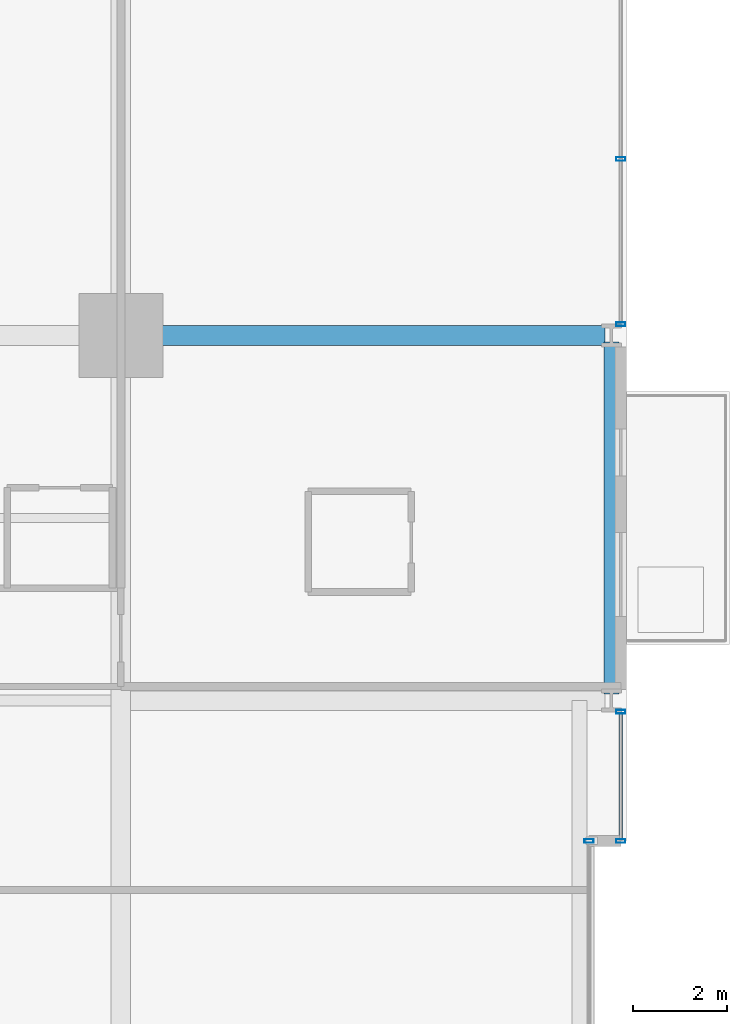
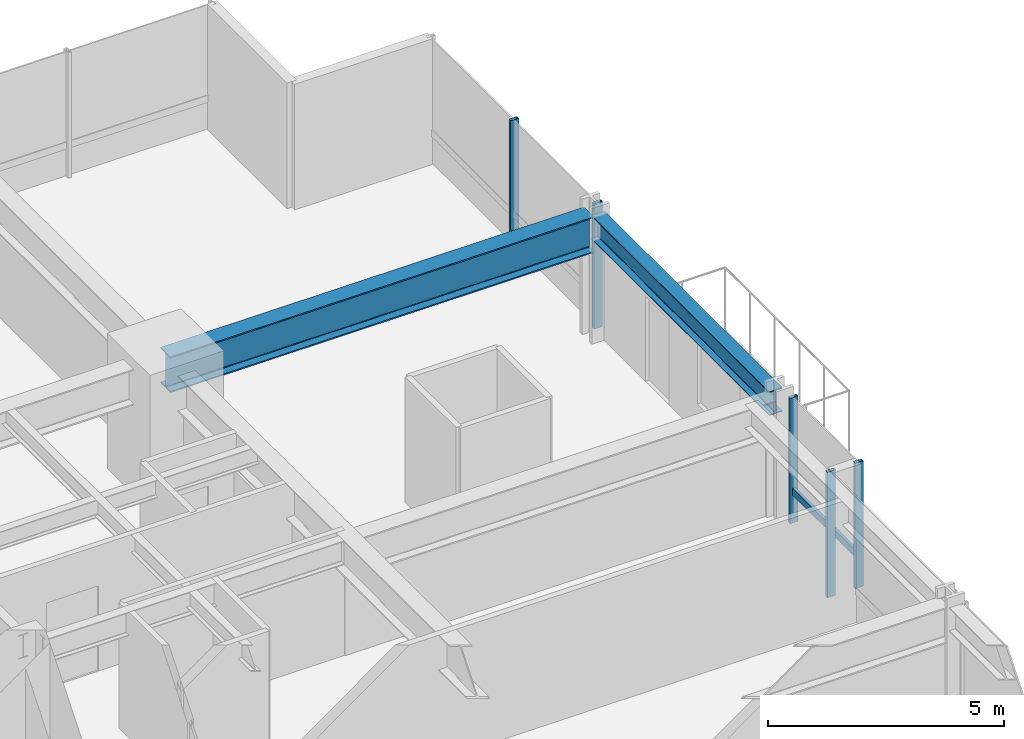
# One storey, part 25 of 37: 6 members, 2 beams, 3 elements without a shape of their own.
"""IFC4 building model written with IfcOpenShell, lengths in metres."""

from ifc_helpers import new_model, si_unit, direction, frame, origin, origin_2d, place, context, subcontext, project, spatial, hollow_rectangle, i_section, extrude, material, layer, layer_set, material_profile, profile_set, type_object, element, aggregate, save


model = new_model("IFC4")

# Units and contexts
model_context = context("Model", 3, precision=1e-05, world=origin(), true_north=direction((0.0, 1.0)))
body_context = subcontext(model_context, "Body", "Model", "MODEL_VIEW")
ifc_project = project(units=[si_unit("LENGTHUNIT", "METRE"), si_unit("AREAUNIT", "SQUARE_METRE"), si_unit("VOLUMEUNIT", "CUBIC_METRE"), si_unit("PLANEANGLEUNIT", "RADIAN"), si_unit("MASSUNIT", "GRAM", prefix="KILO")], contexts=[model_context])

# Site, building, storey
site_placement = place(None, origin())
site = spatial("IfcSite", under=ifc_project, at=site_placement, CompositionType="ELEMENT")
building_placement = place(site_placement, origin())
building = spatial("IfcBuilding", under=site, at=building_placement, Name="Drelvath Grand Hotel", CompositionType="ELEMENT")
storey_placement = place(building_placement, frame((0.0, 0.0, 43.699951171875)))
storey = spatial("IfcBuildingStorey", under=building, at=storey_placement, Name="L09", CompositionType="ELEMENT", Elevation=43.699951171875)

# Curtain wall, members
ifc_material_1 = material(Name="Warm Bronze Anodised Aluminium Frame", Category="aluminium")
ifc_layer = layer(ifc_material_1, 0.199951171875)
ifc_layer_set = layer_set([ifc_layer], Name="Warm Bronze Anodised Aluminium Frame")
curtain_wall_type = type_object("IfcCurtainWallType", Name="Stick Curtain Wall CW-02 Warm Bronze Low-Rise", PredefinedType="NOTDEFINED", material=ifc_layer_set)
curtain_wall_1_placement = place(storey_placement, origin())
curtain_wall_1 = element("IfcCurtainWall", 1, at=curtain_wall_1_placement, inside=storey, type_object=curtain_wall_type, Name="L09 CW-02 Curtain Wall CW02-L09-EN1", PredefinedType="NOTDEFINED")
ifc_material_profile_1 = material_profile(ifc_material_1, hollow_rectangle(XDim=0.074951171875, YDim=0.179931640625, WallThickness=0.0048828125, at=origin_2d()), Name="HSS180X75X5")
ifc_profile_set_1 = profile_set([ifc_material_profile_1], Name="Warm Bronze Anodised Aluminium Frame")
member_type_1 = type_object("IfcMemberType", Name="Curtain Wall Horizontal Transom CW-02 HSS180X75X5", PredefinedType="USERDEFINED", material=ifc_profile_set_1)
member_1_placement = place(storey_placement, frame((26.8798828125, 35.119140625, 0.81005859375), z_axis=(0.0, -1.0, 0.0), x_axis=(1.0, 0.0, 0.0)))
member_1 = element("IfcMember", 2, at=member_1_placement, type_object=member_type_1, Name="CW02-L09-EN1 Sill Transom", ObjectType="TRANSOM", PredefinedType="USERDEFINED", context=body_context, shape_type="SweptSolid", body=[
    extrude(hollow_rectangle(XDim=0.074951171875, YDim=0.179931640625, WallThickness=0.0048828125, at=origin_2d()), origin(), (0.0, 0.0, 1.0), 2.67919921875),
])
ifc_material_profile_2 = material_profile(ifc_material_1, hollow_rectangle(XDim=0.080078125, YDim=0.199951171875, WallThickness=0.0048828125, at=origin_2d()), Name="HSS200X80X5")
ifc_profile_set_2 = profile_set([ifc_material_profile_2], Name="Warm Bronze Anodised Aluminium Frame")
member_type_2 = type_object("IfcMemberType", Name="Curtain Wall Vertical Mullion CW-02 HSS200X80X5", PredefinedType="MULLION", material=ifc_profile_set_2)
member_2_placement = place(storey_placement, frame((26.8798828125, 35.1591796875, 0.0), z_axis=(0.0, 0.0, 1.0), x_axis=(0.0, 1.0, 0.0)))
member_2 = element("IfcMember", 3, at=member_2_placement, type_object=member_type_2, Name="CW02-L09-EN1 Mullion 1", PredefinedType="MULLION", context=body_context, shape_type="SweptSolid", body=[
    extrude(hollow_rectangle(XDim=0.080078125, YDim=0.199951171875, WallThickness=0.0048828125, at=origin_2d()), origin(), (0.0, 0.0, 1.0), 3.239990234375),
])
member_3_placement = place(storey_placement, frame((26.8798828125, 32.39990234375, 0.0), z_axis=(0.0, 0.0, 1.0), x_axis=(0.0, 1.0, 0.0)))
member_3 = element("IfcMember", 4, at=member_3_placement, type_object=member_type_2, Name="CW02-L09-EN1 Mullion 2", PredefinedType="MULLION", context=body_context, shape_type="SweptSolid", body=[
    extrude(hollow_rectangle(XDim=0.080078125, YDim=0.199951171875, WallThickness=0.0048828125, at=origin_2d()), origin(), (0.0, 0.0, 1.0), 3.239990234375),
])
aggregate(curtain_wall_1, [member_2, member_3, member_1])

curtain_wall_2_placement = place(storey_placement, origin())
curtain_wall_2 = element("IfcCurtainWall", 5, at=curtain_wall_2_placement, inside=storey, type_object=curtain_wall_type, Name="L09 CW-02 Curtain Wall CW02-L09-EN3", PredefinedType="NOTDEFINED")
member_4_placement = place(storey_placement, frame((26.8798828125, 46.970458984375, 0.0), z_axis=(0.0, 0.0, 1.0), x_axis=(0.0, 1.0, 0.0)))
member_4 = element("IfcMember", 6, at=member_4_placement, type_object=member_type_2, Name="CW02-L09-EN3 Mullion 2", PredefinedType="MULLION", context=body_context, shape_type="SweptSolid", body=[
    extrude(hollow_rectangle(XDim=0.080078125, YDim=0.199951171875, WallThickness=0.0048828125, at=origin_2d()), origin(), (0.0, 0.0, 1.0), 3.239990234375),
])
member_5_placement = place(storey_placement, frame((26.8798828125, 43.44091796875, 0.0), z_axis=(0.0, 0.0, 1.0), x_axis=(0.0, 1.0, 0.0)))
member_5 = element("IfcMember", 7, at=member_5_placement, type_object=member_type_2, Name="CW02-L09-EN3 Mullion 3", PredefinedType="MULLION", context=body_context, shape_type="SweptSolid", body=[
    extrude(hollow_rectangle(XDim=0.080078125, YDim=0.199951171875, WallThickness=0.0048828125, at=origin_2d()), origin(), (0.0, 0.0, 1.0), 3.239990234375),
])
aggregate(curtain_wall_2, [member_4, member_5])

# Curtain wall, member
curtain_wall_3_placement = place(storey_placement, origin())
curtain_wall_3 = element("IfcCurtainWall", 8, at=curtain_wall_3_placement, inside=storey, type_object=curtain_wall_type, Name="L09 CW-02 Curtain Wall CW02-L09-EM2", PredefinedType="NOTDEFINED")
member_6_placement = place(storey_placement, frame((26.199951171875, 32.39990234375, 0.0), z_axis=(0.0, 0.0, 1.0), x_axis=(0.0, 1.0, 0.0)))
member_6 = element("IfcMember", 9, at=member_6_placement, type_object=member_type_2, Name="CW02-L09-EM2 Mullion 1", PredefinedType="MULLION", context=body_context, shape_type="SweptSolid", body=[
    extrude(hollow_rectangle(XDim=0.080078125, YDim=0.199951171875, WallThickness=0.0048828125, at=origin_2d()), origin(), (0.0, 0.0, 1.0), 3.239990234375),
])
aggregate(curtain_wall_3, [member_6])

# Beams
ifc_material_2 = material(Name="Steel ASTM A992 Gr 50", Category="steel")
ifc_material_profile_3 = material_profile(ifc_material_2, i_section(OverallWidth=0.323974609375, OverallDepth=0.611083984375, WebThickness=0.0126953125, FlangeThickness=0.01904296875, FilletRadius=0.02197265625, at=origin_2d()), Name="W24X104")
ifc_profile_set_3 = profile_set([ifc_material_profile_3], Name="Steel ASTM A992 Gr 50")
beam_type_1 = type_object("IfcBeamType", Name="Perimeter Spandrel Beam W24X104", PredefinedType="SPANDREL", material=ifc_profile_set_3)
beam_1_placement = place(storey_placement, frame((26.679931640625, 35.5400390625, 2.9345703125), z_axis=(0.0, 1.0, 0.0), x_axis=(-1.0, 0.0, 0.0)))
element("IfcBeam", 10, at=beam_1_placement, inside=storey, type_object=beam_type_1, Name="L09 Spandrel East N", PredefinedType="SPANDREL", context=body_context, shape_type="SweptSolid", body=[
    extrude(i_section(OverallWidth=0.323974609375, OverallDepth=0.611083984375, WebThickness=0.0126953125, FlangeThickness=0.01904296875, FilletRadius=0.02197265625, at=origin_2d()), origin(), (0.0, 0.0, 1.0), 7.52001953125),
])
ifc_material_profile_4 = material_profile(ifc_material_2, i_section(OverallWidth=0.418212890625, OverallDepth=0.926513671875, WebThickness=0.019287109375, FlangeThickness=0.031982421875, FilletRadius=0.028076171875, at=origin_2d()), Name="W36X231")
ifc_profile_set_4 = profile_set([ifc_material_profile_4], Name="Steel ASTM A992 Gr 50")
beam_type_2 = type_object("IfcBeamType", Name="Primary Floor Girder W36X231", PredefinedType="BEAM", material=ifc_profile_set_4)
beam_2_placement = place(storey_placement, frame((16.199951171875, 43.199951171875, 2.77685546875), z_axis=(1.0, 0.0, 0.0), x_axis=(0.0, 1.0, 0.0)))
element("IfcBeam", 11, at=beam_2_placement, inside=storey, type_object=beam_type_2, Name="L09 East Grid Girder G", PredefinedType="BEAM", context=body_context, shape_type="SweptSolid", body=[
    extrude(i_section(OverallWidth=0.418212890625, OverallDepth=0.926513671875, WebThickness=0.019287109375, FlangeThickness=0.031982421875, FilletRadius=0.028076171875, at=origin_2d()), origin(), (0.0, 0.0, 1.0), 10.340087890625),
])

save(model, "model.ifc")
